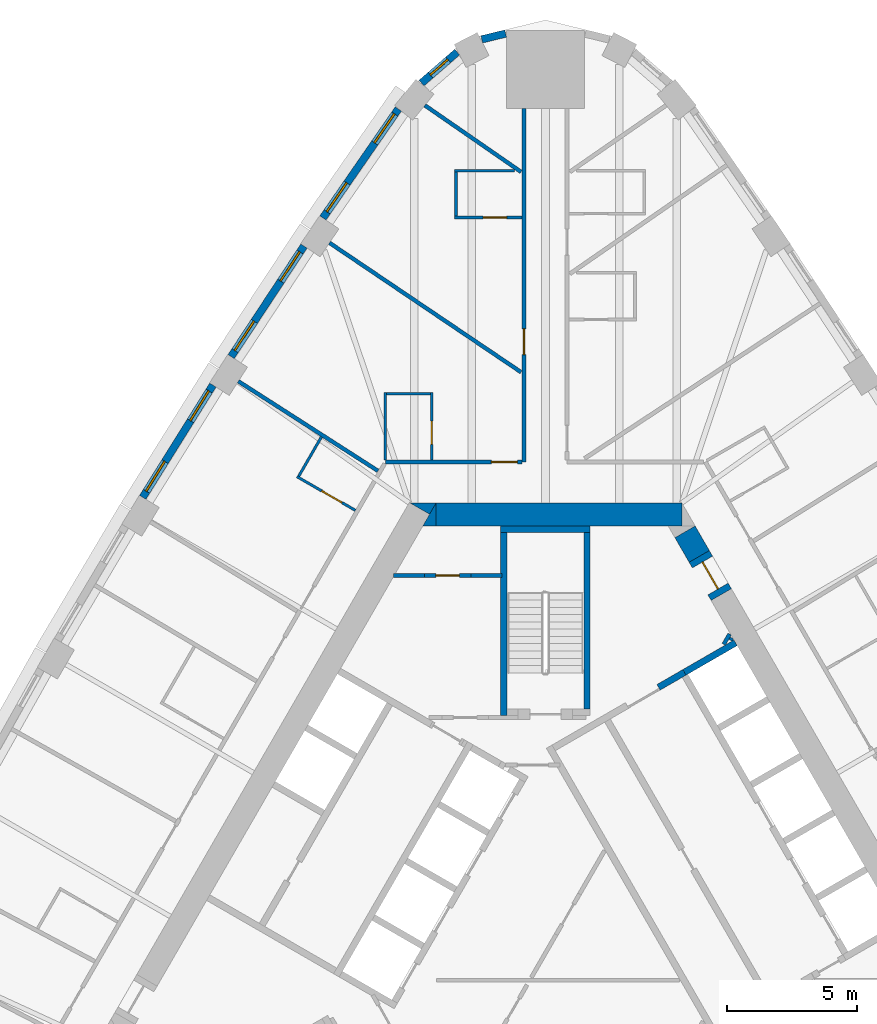
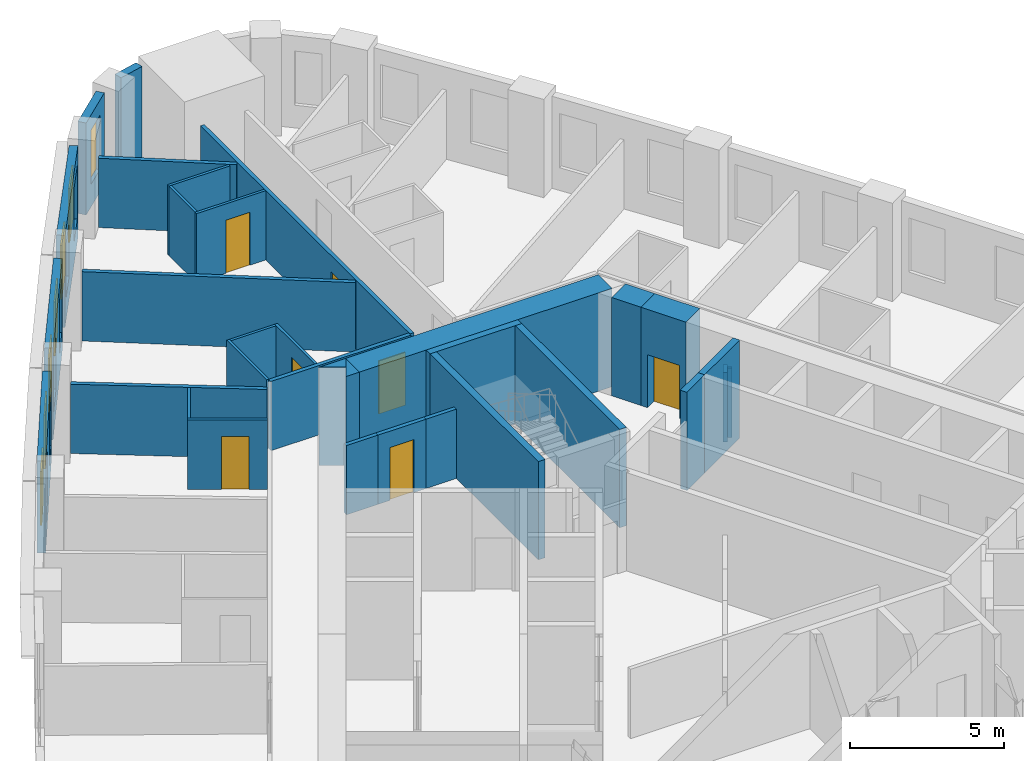
# One storey, part 10 of 13: 33 walls, 7 doors, 7 windows, 14 openings.
"""IFC4 building model written with IfcOpenShell, lengths in metres."""

from ifc_helpers import new_model, si_unit, direction, frame, frame_2d, origin, place, context, subcontext, project, spatial, polyline, rectangle, outline, extrude, material, layer, layer_set, type_object, element, fill, save


model = new_model("IFC4")

# Units and contexts
model_context = context("Model", 3, precision=1e-05, world=origin(), true_north=direction((0.0, 1.0)))
body_context = subcontext(model_context, "Body", "Model", "MODEL_VIEW")
ifc_project = project(units=[si_unit("LENGTHUNIT", "METRE"), si_unit("AREAUNIT", "SQUARE_METRE"), si_unit("VOLUMEUNIT", "CUBIC_METRE"), si_unit("PLANEANGLEUNIT", "RADIAN"), si_unit("MASSUNIT", "GRAM", prefix="KILO")], contexts=[model_context])

# Site, building, storey
site_placement = place(None, origin())
site = spatial("IfcSite", under=ifc_project, at=site_placement, CompositionType="ELEMENT")
building_placement = place(site_placement, origin())
building = spatial("IfcBuilding", under=site, at=building_placement, Name="Mestral Congress Tower", CompositionType="ELEMENT")
storey_placement = place(building_placement, frame((0.0, 0.0, 95.39990234375)))
storey = spatial("IfcBuildingStorey", under=building, at=storey_placement, Name="L22", CompositionType="ELEMENT", Elevation=95.39990234375)

# Walls
ifc_material_1 = material(Name="Fire-rated board partition")
ifc_layer_1 = layer(ifc_material_1, 0.14990234375)
ifc_layer_set_1 = layer_set([ifc_layer_1], Name="Fire-rated board partition")
wall_type_1 = type_object("IfcWallType", Name="Core partition 150", PredefinedType="PARTITIONING", material=ifc_layer_set_1)
wall_1_placement = place(storey_placement, frame((-5.85107421875, 14.10205078125, 0.0), z_axis=(0.0, 0.0, 1.0), x_axis=(1.0, 0.0, 0.0)))
element("IfcWall", 1, at=wall_1_placement, inside=storey, type_object=wall_type_1, Name="L22 core wall", PredefinedType="PARTITIONING", context=body_context, shape_type="SweptSolid", body=[
    extrude(rectangle(XDim=1.18017578125, YDim=0.14990234375, at=frame_2d((0.590087890625, 0.0))), origin(), (0.0, 0.0, 1.0), 2.75),
])
wall_2_placement = place(storey_placement, frame((-2.87060546875, 14.10205078125, 0.0), z_axis=(0.0, 0.0, 1.0), x_axis=(1.0, 0.0, 0.0)))
element("IfcWall", 2, at=wall_2_placement, inside=storey, type_object=wall_type_1, Name="L22 core wall", PredefinedType="PARTITIONING", context=body_context, shape_type="SweptSolid", body=[
    extrude(rectangle(XDim=1.195556640625, YDim=0.14990234375, at=frame_2d((0.59765625, 0.0))), origin(), (0.0, 0.0, 1.0), 2.75),
])
wall_3_placement = place(storey_placement, frame((6.87158203125, 11.44970703125, 0.0), z_axis=(0.0, 0.0, 1.0), x_axis=(0.499846793097, 0.866113839764, 0.0)))
element("IfcWall", 3, at=wall_3_placement, inside=storey, type_object=wall_type_1, Name="L22 core wall", PredefinedType="PARTITIONING", context=body_context, shape_type="SweptSolid", body=[
    extrude(rectangle(XDim=0.453369140625, YDim=0.14990234375, at=frame_2d((0.2265625, 0.0))), origin(), (0.0, 0.0, 1.0), 2.75),
])
wall_4_placement = place(storey_placement, frame((7.13134765625, 11.599609375, 0.0), z_axis=(0.0, 0.0, 1.0), x_axis=(0.498600033135, 0.866832167699, 0.0)))
element("IfcWall", 4, at=wall_4_placement, inside=storey, type_object=wall_type_1, Name="L22 core wall", PredefinedType="PARTITIONING", context=body_context, shape_type="SweptSolid", body=[
    extrude(rectangle(XDim=0.106689453125, YDim=0.14990234375, at=frame_2d((0.05322265625, 0.0))), origin(), (0.0, 0.0, 1.0), 2.75),
])

# Wall, opening, door
wall_5_placement = place(storey_placement, frame((-2.870849609375, 14.10205078125, 0.0), z_axis=(0.0, 0.0, 1.0), x_axis=(-1.0, 0.0, 0.0)))
wall_5 = element("IfcWall", 5, at=wall_5_placement, inside=storey, type_object=wall_type_1, Name="L22 door wall", PredefinedType="PARTITIONING", context=body_context, shape_type="SweptSolid", body=[
    extrude(rectangle(XDim=1.800048828125, YDim=0.14990234375, at=frame_2d((0.89990234375, 0.0))), origin(), (0.0, 0.0, 1.0), 2.75),
])
opening_1_placement = place(wall_5_placement, frame((0.449951171875, 0.0, 0.0)))
opening_1 = element("IfcOpeningElement", 6, at=opening_1_placement, cuts=wall_5, Name="Opening SD-WS2", PredefinedType="OPENING", context=body_context, shape_type="SweptSolid", body=[
    extrude(rectangle(XDim=0.89990234375, YDim=2.10009765625, at=frame_2d((0.449951171875, 1.050048828125))), frame((0.0, 0.0849609375, 0.0), z_axis=(0.0, -1.0, 0.0), x_axis=(1.0, 0.0, 0.0)), (0.0, 0.0, 1.0), 0.169921875),
])
ifc_material_2 = material(Name="Fire-rated steel door set", Category="steel")
door_type_1 = type_object("IfcDoorType", Name="Core door SR 900x2100", OperationType="SINGLE_SWING_LEFT", PredefinedType="DOOR", material=ifc_material_2)
door_1_placement = place(opening_1_placement, origin())
door_1 = element("IfcDoor", 7, at=door_1_placement, inside=storey, type_object=door_type_1, Name="Door SD-WS2", OperationType="SINGLE_SWING_LEFT", OverallHeight=2.10009765625, OverallWidth=0.89990234375, PredefinedType="DOOR", context=body_context, shape_type="SweptSolid", body=[
    extrude(rectangle(XDim=0.89990234375, YDim=2.10009765625, at=frame_2d((0.449951171875, 1.050048828125))), frame((0.0, 0.02490234375, 0.0), z_axis=(0.0, -1.0, 0.0), x_axis=(1.0, 0.0, 0.0)), (0.0, 0.0, 1.0), 0.050048828125),
])
fill(opening_1, door_1)

# Walls
ifc_material_3 = material(Name="Concrete C60/75", Category="concrete")
ifc_layer_2 = layer(ifc_material_3, 0.89990234375)
ifc_layer_set_2 = layer_set([ifc_layer_2], Name="Concrete C60/75")
wall_type_2 = type_object("IfcWallType", Name="Core wall RC 900", PredefinedType="SOLIDWALL", material=ifc_layer_set_2)
placement = place(storey_placement, origin())
element("IfcWall", 8, at=placement, inside=storey, type_object=wall_type_2, Name="L22 core wall", PredefinedType="SOLIDWALL", context=body_context, shape_type="SweptSolid", body=[
    extrude(outline(polyline([(-4.214599609375, 16.89990234375), (-4.46875, 16.460205078125), (-5.230712890625, 16.89990234375), (-4.214599609375, 16.89990234375)])), origin(), (0.0, 0.0, 1.0), 3.900146484375),
])
wall_7_placement = place(storey_placement, frame((-4.224365234375, 16.449951171875, 0.0), z_axis=(0.0, 0.0, 1.0), x_axis=(1.0, 0.0, 0.0)))
element("IfcWall", 9, at=wall_7_placement, inside=storey, type_object=wall_type_2, Name="L22 core wall", PredefinedType="SOLIDWALL", context=body_context, shape_type="SweptSolid", body=[
    extrude(rectangle(XDim=9.48779296875, YDim=0.89990234375, at=frame_2d((4.743896484375, 0.0))), origin(), (0.0, 0.0, 1.0), 3.900146484375),
])
element("IfcWall", 10, at=placement, inside=storey, type_object=wall_type_2, Name="L22 core wall", PredefinedType="SOLIDWALL", context=body_context, shape_type="SweptSolid", body=[
    extrude(outline(polyline([(-4.734375, 16.0), (-4.226318359375, 16.8798828125), (-4.226318359375, 16.0), (-4.734375, 16.0)])), origin(), (0.0, 0.0, 1.0), 3.900146484375),
])
wall_9_placement = place(storey_placement, frame((5.92578125, 14.836181640625, 0.0), z_axis=(0.0, 0.0, 1.0), x_axis=(-0.500076735116, 0.865981096212, 0.0)))
element("IfcWall", 11, at=wall_9_placement, inside=storey, type_object=wall_type_2, Name="L22 core wall", PredefinedType="SOLIDWALL", context=body_context, shape_type="SweptSolid", body=[
    extrude(rectangle(XDim=1.093505859375, YDim=0.89990234375, at=frame_2d((0.546875, 0.0))), origin(), (0.0, 0.0, 1.0), 3.900146484375),
])

# Wall, opening, door
wall_10_placement = place(storey_placement, frame((5.92578125, 14.836181640625, 0.0), z_axis=(0.0, 0.0, 1.0), x_axis=(0.500062241894, -0.865989465428, 0.0)))
wall_10 = element("IfcWall", 12, at=wall_10_placement, inside=storey, type_object=wall_type_2, Name="L22 door wall", PredefinedType="SOLIDWALL", context=body_context, shape_type="SweptSolid", body=[
    extrude(rectangle(XDim=1.699951171875, YDim=0.89990234375, at=frame_2d((0.85009765625, 0.0))), origin(), (0.0, 0.0, 1.0), 3.900146484375),
])
opening_2_placement = place(wall_10_placement, frame((0.25, 0.0, 0.0)))
opening_2 = element("IfcOpeningElement", 13, at=opening_2_placement, cuts=wall_10, Name="Opening XD2", PredefinedType="OPENING", context=body_context, shape_type="SweptSolid", body=[
    extrude(rectangle(XDim=1.199951171875, YDim=2.10009765625, at=frame_2d((0.60009765625, 1.050048828125))), frame((0.0, 0.4599609375, 0.0), z_axis=(0.0, -1.0, 0.0), x_axis=(1.0, 0.0, 0.0)), (0.0, 0.0, 1.0), 0.919921875),
])
door_type_2 = type_object("IfcDoorType", Name="Core door XD 1200x2100", OperationType="SINGLE_SWING_LEFT", PredefinedType="DOOR", material=ifc_material_2)
door_2_placement = place(opening_2_placement, origin())
door_2 = element("IfcDoor", 14, at=door_2_placement, inside=storey, type_object=door_type_2, Name="Door XD2", OperationType="SINGLE_SWING_LEFT", OverallHeight=2.10009765625, OverallWidth=1.199951171875, PredefinedType="DOOR", context=body_context, shape_type="SweptSolid", body=[
    extrude(rectangle(XDim=1.199951171875, YDim=2.10009765625, at=frame_2d((0.60009765625, 1.050048828125))), frame((0.0, 0.02490234375, 0.0), z_axis=(0.0, -1.0, 0.0), x_axis=(1.0, 0.0, 0.0)), (0.0, 0.0, 1.0), 0.050048828125),
])
fill(opening_2, door_2)

# Wall
ifc_material_4 = material(Name="Precast concrete C40/50 with limestone facing", Category="masonry")
ifc_layer_3 = layer(ifc_material_4, 0.2900390625)
ifc_layer_set_3 = layer_set([ifc_layer_3], Name="Precast concrete C40/50 with limestone facing")
wall_type_3 = type_object("IfcWallType", Name="Facade stone wall 290", PredefinedType="SOLIDWALL", material=ifc_layer_set_3)
wall_11_placement = place(storey_placement, frame((-1.53515625, 34.9892578125, 0.0), z_axis=(0.0, 0.0, 1.0), x_axis=(-0.971713991574, -0.236160789674, 0.0)))
element("IfcWall", 15, at=wall_11_placement, inside=storey, type_object=wall_type_3, Name="Facade wall K1-2", PredefinedType="SOLIDWALL", context=body_context, shape_type="SweptSolid", body=[
    extrude(rectangle(XDim=0.947021484375, YDim=0.2900390625, at=frame_2d((0.4736328125, 0.0))), origin(), (0.0, 0.0, 1.0), 3.650146484375),
])

# Wall, opening, window
wall_12_placement = place(storey_placement, frame((-3.404541015625, 34.275390625, 0.0), z_axis=(0.0, 0.0, 1.0), x_axis=(-0.754882764627, -0.655859749999, 0.0)))
wall_12 = element("IfcWall", 16, at=wall_12_placement, inside=storey, type_object=wall_type_3, Name="Facade wall K1-3", PredefinedType="SOLIDWALL", context=body_context, shape_type="SweptSolid", body=[
    extrude(rectangle(XDim=1.819580078125, YDim=0.2900390625, at=frame_2d((0.90966796875, 0.0))), origin(), (0.0, 0.0, 1.0), 3.650146484375),
])
opening_3_placement = place(wall_12_placement, frame((0.459716796875, 0.0, 0.89990234375)))
opening_3 = element("IfcOpeningElement", 17, at=opening_3_placement, cuts=wall_12, Name="Opening W3", PredefinedType="OPENING", context=body_context, shape_type="SweptSolid", body=[
    extrude(rectangle(XDim=0.89990234375, YDim=2.14990234375, at=frame_2d((0.449951171875, 1.074951171875))), frame((0.0, 0.155029296875, 0.0), z_axis=(0.0, -1.0, 0.0), x_axis=(1.0, 0.0, 0.0)), (0.0, 0.0, 1.0), 0.31005859375),
])
ifc_material_5 = material(Name="Clear low-emissivity double glazing", Category="glass")
window_type_1 = type_object("IfcWindowType", Name="Facade punched window 900 x 2150 sill 900", PartitioningType="SINGLE_PANEL", PredefinedType="WINDOW", material=ifc_material_5)
window_1_placement = place(opening_3_placement, origin())
window_1 = element("IfcWindow", 18, at=window_1_placement, inside=storey, type_object=window_type_1, Name="Window K1-3", OverallHeight=2.14990234375, OverallWidth=0.89990234375, PartitioningType="SINGLE_PANEL", PredefinedType="WINDOW", context=body_context, shape_type="SweptSolid", body=[
    extrude(rectangle(XDim=0.89990234375, YDim=2.14990234375, at=frame_2d((0.449951171875, 1.074951171875))), frame((0.0, 0.01513671875, 0.0), z_axis=(0.0, -1.0, 0.0), x_axis=(1.0, 0.0, 0.0)), (0.0, 0.0, 1.0), 0.06005859375),
])
fill(opening_3, window_1)

# Wall, openings, windows
wall_13_placement = place(storey_placement, frame((-5.67333984375, 32.0810546875, 0.0), z_axis=(0.0, 0.0, 1.0), x_axis=(-0.569113019126, -0.822259309136, 0.0)))
wall_13 = element("IfcWall", 19, at=wall_13_placement, inside=storey, type_object=wall_type_3, Name="Facade wall F2-00", PredefinedType="SOLIDWALL", context=body_context, shape_type="SweptSolid", body=[
    extrude(rectangle(XDim=5.106689453125, YDim=0.2900390625, at=frame_2d((2.55322265625, 0.0))), origin(), (0.0, 0.0, 1.0), 3.650146484375),
])
opening_4_placement = place(wall_13_placement, frame((0.240478515625, 0.0, 0.89990234375)))
opening_4 = element("IfcOpeningElement", 20, at=opening_4_placement, cuts=wall_13, Name="Opening W2", PredefinedType="OPENING", context=body_context, shape_type="SweptSolid", body=[
    extrude(rectangle(XDim=1.35009765625, YDim=2.14990234375, at=frame_2d((0.675048828125, 1.074951171875))), frame((0.0, 0.155029296875, 0.0), z_axis=(0.0, -1.0, 0.0), x_axis=(1.0, 0.0, 0.0)), (0.0, 0.0, 1.0), 0.31005859375),
])
opening_5_placement = place(wall_13_placement, frame((3.47119140625, 0.0, 0.89990234375)))
opening_5 = element("IfcOpeningElement", 21, at=opening_5_placement, cuts=wall_13, Name="Opening W2", PredefinedType="OPENING", context=body_context, shape_type="SweptSolid", body=[
    extrude(rectangle(XDim=1.35009765625, YDim=2.14990234375, at=frame_2d((0.675048828125, 1.074951171875))), frame((0.0, 0.155029296875, 0.0), z_axis=(0.0, -1.0, 0.0), x_axis=(1.0, 0.0, 0.0)), (0.0, 0.0, 1.0), 0.31005859375),
])
window_type_2 = type_object("IfcWindowType", Name="Facade punched window 1350 x 2150 sill 900", PartitioningType="DOUBLE_PANEL_VERTICAL", PredefinedType="WINDOW", material=ifc_material_5)
window_2_placement = place(opening_4_placement, origin())
window_2 = element("IfcWindow", 22, at=window_2_placement, inside=storey, type_object=window_type_2, Name="Window F2-00a", OverallHeight=2.14990234375, OverallWidth=1.35009765625, PartitioningType="DOUBLE_PANEL_VERTICAL", PredefinedType="WINDOW", context=body_context, shape_type="SweptSolid", body=[
    extrude(rectangle(XDim=1.35009765625, YDim=2.14990234375, at=frame_2d((0.675048828125, 1.074951171875))), frame((0.0, 0.01513671875, 0.0), z_axis=(0.0, -1.0, 0.0), x_axis=(1.0, 0.0, 0.0)), (0.0, 0.0, 1.0), 0.06005859375),
])
fill(opening_4, window_2)
window_3_placement = place(opening_5_placement, origin())
window_3 = element("IfcWindow", 23, at=window_3_placement, inside=storey, type_object=window_type_2, Name="Window F2-00b", OverallHeight=2.14990234375, OverallWidth=1.35009765625, PartitioningType="DOUBLE_PANEL_VERTICAL", PredefinedType="WINDOW", context=body_context, shape_type="SweptSolid", body=[
    extrude(rectangle(XDim=1.35009765625, YDim=2.14990234375, at=frame_2d((0.675048828125, 1.074951171875))), frame((0.0, 0.01513671875, 0.0), z_axis=(0.0, -1.0, 0.0), x_axis=(1.0, 0.0, 0.0)), (0.0, 0.0, 1.0), 0.06005859375),
])
fill(opening_5, window_3)

wall_14_placement = place(storey_placement, frame((-9.310791015625, 26.799072265625, 0.0), z_axis=(0.0, 0.0, 1.0), x_axis=(-0.549741341923, -0.835334937005, 0.0)))
wall_14 = element("IfcWall", 24, at=wall_14_placement, inside=storey, type_object=wall_type_3, Name="Facade wall F2-01", PredefinedType="SOLIDWALL", context=body_context, shape_type="SweptSolid", body=[
    extrude(rectangle(XDim=5.10009765625, YDim=0.2900390625, at=frame_2d((2.550048828125, 0.0))), origin(), (0.0, 0.0, 1.0), 3.650146484375),
])
opening_6_placement = place(wall_14_placement, frame((0.272705078125, 0.0, 0.89990234375)))
opening_6 = element("IfcOpeningElement", 25, at=opening_6_placement, cuts=wall_14, Name="Opening W2", PredefinedType="OPENING", context=body_context, shape_type="SweptSolid", body=[
    extrude(rectangle(XDim=1.35009765625, YDim=2.14990234375, at=frame_2d((0.675048828125, 1.074951171875))), frame((0.0, 0.155029296875, 0.0), z_axis=(0.0, -1.0, 0.0), x_axis=(1.0, 0.0, 0.0)), (0.0, 0.0, 1.0), 0.31005859375),
])
opening_7_placement = place(wall_14_placement, frame((3.477783203125, 0.0, 0.89990234375)))
opening_7 = element("IfcOpeningElement", 26, at=opening_7_placement, cuts=wall_14, Name="Opening W2", PredefinedType="OPENING", context=body_context, shape_type="SweptSolid", body=[
    extrude(rectangle(XDim=1.35009765625, YDim=2.14990234375, at=frame_2d((0.675048828125, 1.074951171875))), frame((0.0, 0.155029296875, 0.0), z_axis=(0.0, -1.0, 0.0), x_axis=(1.0, 0.0, 0.0)), (0.0, 0.0, 1.0), 0.31005859375),
])
window_4_placement = place(opening_6_placement, origin())
window_4 = element("IfcWindow", 27, at=window_4_placement, inside=storey, type_object=window_type_2, Name="Window F2-01a", OverallHeight=2.14990234375, OverallWidth=1.35009765625, PartitioningType="DOUBLE_PANEL_VERTICAL", PredefinedType="WINDOW", context=body_context, shape_type="SweptSolid", body=[
    extrude(rectangle(XDim=1.35009765625, YDim=2.14990234375, at=frame_2d((0.675048828125, 1.074951171875))), frame((0.0, 0.01513671875, 0.0), z_axis=(0.0, -1.0, 0.0), x_axis=(1.0, 0.0, 0.0)), (0.0, 0.0, 1.0), 0.06005859375),
])
fill(opening_6, window_4)
window_5_placement = place(opening_7_placement, origin())
window_5 = element("IfcWindow", 28, at=window_5_placement, inside=storey, type_object=window_type_2, Name="Window F2-01b", OverallHeight=2.14990234375, OverallWidth=1.35009765625, PartitioningType="DOUBLE_PANEL_VERTICAL", PredefinedType="WINDOW", context=body_context, shape_type="SweptSolid", body=[
    extrude(rectangle(XDim=1.35009765625, YDim=2.14990234375, at=frame_2d((0.675048828125, 1.074951171875))), frame((0.0, 0.01513671875, 0.0), z_axis=(0.0, -1.0, 0.0), x_axis=(1.0, 0.0, 0.0)), (0.0, 0.0, 1.0), 0.06005859375),
])
fill(opening_7, window_5)

wall_15_placement = place(storey_placement, frame((-12.820068359375, 21.43896484375, 0.0), z_axis=(0.0, 0.0, 1.0), x_axis=(-0.530072082134, -0.847952585787, 0.0)))
wall_15 = element("IfcWall", 29, at=wall_15_placement, inside=storey, type_object=wall_type_3, Name="Facade wall F2-02", PredefinedType="SOLIDWALL", context=body_context, shape_type="SweptSolid", body=[
    extrude(rectangle(XDim=5.100341796875, YDim=0.2900390625, at=frame_2d((2.55029296875, 0.0))), origin(), (0.0, 0.0, 1.0), 3.650146484375),
])
opening_8_placement = place(wall_15_placement, frame((0.272705078125, 0.0, 0.89990234375)))
opening_8 = element("IfcOpeningElement", 30, at=opening_8_placement, cuts=wall_15, Name="Opening W2", PredefinedType="OPENING", context=body_context, shape_type="SweptSolid", body=[
    extrude(rectangle(XDim=1.35009765625, YDim=2.14990234375, at=frame_2d((0.675048828125, 1.074951171875))), frame((0.0, 0.155029296875, 0.0), z_axis=(0.0, -1.0, 0.0), x_axis=(1.0, 0.0, 0.0)), (0.0, 0.0, 1.0), 0.31005859375),
])
opening_9_placement = place(wall_15_placement, frame((3.477783203125, 0.0, 0.89990234375)))
opening_9 = element("IfcOpeningElement", 31, at=opening_9_placement, cuts=wall_15, Name="Opening W2", PredefinedType="OPENING", context=body_context, shape_type="SweptSolid", body=[
    extrude(rectangle(XDim=1.35009765625, YDim=2.14990234375, at=frame_2d((0.675048828125, 1.074951171875))), frame((0.0, 0.155029296875, 0.0), z_axis=(0.0, -1.0, 0.0), x_axis=(1.0, 0.0, 0.0)), (0.0, 0.0, 1.0), 0.31005859375),
])
window_6_placement = place(opening_8_placement, origin())
window_6 = element("IfcWindow", 32, at=window_6_placement, inside=storey, type_object=window_type_2, Name="Window F2-02a", OverallHeight=2.14990234375, OverallWidth=1.35009765625, PartitioningType="DOUBLE_PANEL_VERTICAL", PredefinedType="WINDOW", context=body_context, shape_type="SweptSolid", body=[
    extrude(rectangle(XDim=1.35009765625, YDim=2.14990234375, at=frame_2d((0.675048828125, 1.074951171875))), frame((0.0, 0.01513671875, 0.0), z_axis=(0.0, -1.0, 0.0), x_axis=(1.0, 0.0, 0.0)), (0.0, 0.0, 1.0), 0.06005859375),
])
fill(opening_8, window_6)
window_7_placement = place(opening_9_placement, origin())
window_7 = element("IfcWindow", 33, at=window_7_placement, inside=storey, type_object=window_type_2, Name="Window F2-02b", OverallHeight=2.14990234375, OverallWidth=1.35009765625, PartitioningType="DOUBLE_PANEL_VERTICAL", PredefinedType="WINDOW", context=body_context, shape_type="SweptSolid", body=[
    extrude(rectangle(XDim=1.35009765625, YDim=2.14990234375, at=frame_2d((0.675048828125, 1.074951171875))), frame((0.0, 0.01513671875, 0.0), z_axis=(0.0, -1.0, 0.0), x_axis=(1.0, 0.0, 0.0)), (0.0, 0.0, 1.0), 0.06005859375),
])
fill(opening_9, window_7)

# Wall, opening, door
ifc_material_6 = material(Name="Gypsum board partition on metal studs with mineral wool", Category="composite")
ifc_layer_4 = layer(ifc_material_6, 0.10009765625)
ifc_layer_set_4 = layer_set([ifc_layer_4], Name="Gypsum board partition on metal studs with mineral wool")
wall_type_4 = type_object("IfcWallType", Name="Hotel partition wall 100", PredefinedType="PARTITIONING", material=ifc_layer_set_4)
wall_16_placement = place(storey_placement, frame((-3.5, 27.89794921875, 0.0), z_axis=(0.0, 0.0, 1.0), x_axis=(1.0, 0.0, 0.0)))
wall_16 = element("IfcWall", 34, at=wall_16_placement, inside=storey, type_object=wall_type_4, Name="L22-h-pod18a", PredefinedType="PARTITIONING", context=body_context, shape_type="SweptSolid", body=[
    extrude(rectangle(XDim=2.60009765625, YDim=0.10009765625, at=frame_2d((1.300048828125, 0.0))), origin(), (0.0, 0.0, 1.0), 2.75),
])
opening_10_placement = place(wall_16_placement, frame((1.10009765625, 0.0, 0.0)))
opening_10 = element("IfcOpeningElement", 35, at=opening_10_placement, cuts=wall_16, Name="Opening H07-035", PredefinedType="OPENING", context=body_context, shape_type="SweptSolid", body=[
    extrude(rectangle(XDim=0.89990234375, YDim=2.10009765625, at=frame_2d((0.449951171875, 1.050048828125))), frame((0.0, 0.06005859375, 0.0), z_axis=(0.0, -1.0, 0.0), x_axis=(1.0, 0.0, 0.0)), (0.0, 0.0, 1.0), 0.1201171875),
])
ifc_material_7 = material(Name="Timber veneer door leaf in timber frame", Category="wood")
door_type_3 = type_object("IfcDoorType", Name="Bathroom door 900", OperationType="SINGLE_SWING_LEFT", PredefinedType="DOOR", material=ifc_material_7)
door_3_placement = place(opening_10_placement, origin())
door_3 = element("IfcDoor", 36, at=door_3_placement, inside=storey, type_object=door_type_3, Name="L22-h-d035", OperationType="SINGLE_SWING_RIGHT", OverallHeight=2.10009765625, OverallWidth=0.89990234375, PredefinedType="DOOR", context=body_context, shape_type="SweptSolid", body=[
    extrude(rectangle(XDim=0.89990234375, YDim=2.10009765625, at=frame_2d((0.449951171875, 1.050048828125))), frame((0.0, 0.02490234375, 0.0), z_axis=(0.0, -1.0, 0.0), x_axis=(1.0, 0.0, 0.0)), (0.0, 0.0, 1.0), 0.050048828125),
])
fill(opening_10, door_3)

# Walls
wall_17_placement = place(storey_placement, frame((-3.449951171875, 27.947998046875, 0.0), z_axis=(0.0, 0.0, 1.0), x_axis=(0.0, 1.0, 0.0)))
element("IfcWall", 37, at=wall_17_placement, inside=storey, type_object=wall_type_4, Name="L22-h-pod18b", PredefinedType="PARTITIONING", context=body_context, shape_type="SweptSolid", body=[
    extrude(rectangle(XDim=1.699951171875, YDim=0.10009765625, at=frame_2d((0.85009765625, 0.0))), origin(), (0.0, 0.0, 1.0), 2.75),
])
wall_18_placement = place(storey_placement, frame((-1.199951171875, 29.697998046875, 0.0), z_axis=(0.0, 0.0, 1.0), x_axis=(-1.0, 0.0, 0.0)))
element("IfcWall", 38, at=wall_18_placement, inside=storey, type_object=wall_type_4, Name="L22-h-pod18c", PredefinedType="PARTITIONING", context=body_context, shape_type="SweptSolid", body=[
    extrude(rectangle(XDim=2.300048828125, YDim=0.10009765625, at=frame_2d((1.14990234375, 0.0))), origin(), (0.0, 0.0, 1.0), 2.75),
])

# Wall, opening, door
wall_19_placement = place(storey_placement, frame((-4.38330078125, 18.550048828125, 0.0), z_axis=(0.0, 0.0, 1.0), x_axis=(0.0, 1.0, 0.0)))
wall_19 = element("IfcWall", 39, at=wall_19_placement, inside=storey, type_object=wall_type_4, Name="L22-h-pod19a", PredefinedType="PARTITIONING", context=body_context, shape_type="SweptSolid", body=[
    extrude(rectangle(XDim=2.599853515625, YDim=0.10009765625, at=frame_2d((1.2998046875, 0.0))), origin(), (0.0, 0.0, 1.0), 2.75),
])
opening_11_placement = place(wall_19_placement, frame((0.60009765625, 0.0, 0.0)))
opening_11 = element("IfcOpeningElement", 40, at=opening_11_placement, cuts=wall_19, Name="Opening H07-037", PredefinedType="OPENING", context=body_context, shape_type="SweptSolid", body=[
    extrude(rectangle(XDim=0.89990234375, YDim=2.10009765625, at=frame_2d((0.449951171875, 1.050048828125))), frame((0.0, 0.06005859375, 0.0), z_axis=(0.0, -1.0, 0.0), x_axis=(1.0, 0.0, 0.0)), (0.0, 0.0, 1.0), 0.1201171875),
])
door_4_placement = place(opening_11_placement, origin())
door_4 = element("IfcDoor", 41, at=door_4_placement, inside=storey, type_object=door_type_3, Name="L22-h-d037", OperationType="SINGLE_SWING_LEFT", OverallHeight=2.10009765625, OverallWidth=0.89990234375, PredefinedType="DOOR", context=body_context, shape_type="SweptSolid", body=[
    extrude(rectangle(XDim=0.89990234375, YDim=2.10009765625, at=frame_2d((0.449951171875, 1.050048828125))), frame((0.0, 0.02490234375, 0.0), z_axis=(0.0, -1.0, 0.0), x_axis=(1.0, 0.0, 0.0)), (0.0, 0.0, 1.0), 0.050048828125),
])
fill(opening_11, door_4)

# Walls
wall_20_placement = place(storey_placement, frame((-4.43310546875, 21.10009765625, 0.0), z_axis=(0.0, 0.0, 1.0), x_axis=(-1.0, 0.0, 0.0)))
element("IfcWall", 42, at=wall_20_placement, inside=storey, type_object=wall_type_4, Name="L22-h-pod19b", PredefinedType="PARTITIONING", context=body_context, shape_type="SweptSolid", body=[
    extrude(rectangle(XDim=1.7001953125, YDim=0.10009765625, at=frame_2d((0.85009765625, 0.0))), origin(), (0.0, 0.0, 1.0), 2.75),
])
wall_21_placement = place(storey_placement, frame((-6.18310546875, 18.550048828125, 0.0), z_axis=(0.0, 0.0, 1.0), x_axis=(0.0, 1.0, 0.0)))
element("IfcWall", 43, at=wall_21_placement, inside=storey, type_object=wall_type_4, Name="L22-h-pod19c", PredefinedType="PARTITIONING", context=body_context, shape_type="SweptSolid", body=[
    extrude(rectangle(XDim=2.599853515625, YDim=0.10009765625, at=frame_2d((1.2998046875, 0.0))), origin(), (0.0, 0.0, 1.0), 2.75),
])

# Wall, opening, door
wall_22_placement = place(storey_placement, frame((-9.57763671875, 17.910888671875, 0.0), z_axis=(0.0, 0.0, 1.0), x_axis=(0.866021400173, -0.500006934395, 0.0)))
wall_22 = element("IfcWall", 44, at=wall_22_placement, inside=storey, type_object=wall_type_4, Name="L22-h-pod20a", PredefinedType="PARTITIONING", context=body_context, shape_type="SweptSolid", body=[
    extrude(rectangle(XDim=2.60009765625, YDim=0.10009765625, at=frame_2d((1.300048828125, 0.0))), origin(), (0.0, 0.0, 1.0), 2.75),
])
opening_12_placement = place(wall_22_placement, frame((1.10009765625, 0.0, 0.0)))
opening_12 = element("IfcOpeningElement", 45, at=opening_12_placement, cuts=wall_22, Name="Opening H07-039", PredefinedType="OPENING", context=body_context, shape_type="SweptSolid", body=[
    extrude(rectangle(XDim=0.89990234375, YDim=2.10009765625, at=frame_2d((0.449951171875, 1.050048828125))), frame((0.0, 0.06005859375, 0.0), z_axis=(0.0, -1.0, 0.0), x_axis=(1.0, 0.0, 0.0)), (0.0, 0.0, 1.0), 0.1201171875),
])
door_5_placement = place(opening_12_placement, origin())
door_5 = element("IfcDoor", 46, at=door_5_placement, inside=storey, type_object=door_type_3, Name="L22-h-d039", OperationType="SINGLE_SWING_LEFT", OverallHeight=2.10009765625, OverallWidth=0.89990234375, PredefinedType="DOOR", context=body_context, shape_type="SweptSolid", body=[
    extrude(rectangle(XDim=0.89990234375, YDim=2.10009765625, at=frame_2d((0.449951171875, 1.050048828125))), frame((0.0, 0.02490234375, 0.0), z_axis=(0.0, -1.0, 0.0), x_axis=(1.0, 0.0, 0.0)), (0.0, 0.0, 1.0), 0.050048828125),
])
fill(opening_12, door_5)

# Wall
wall_23_placement = place(storey_placement, frame((-9.509521484375, 17.92919921875, 0.0), z_axis=(0.0, 0.0, 1.0), x_axis=(0.500062521093, 0.865989304205, 0.0)))
element("IfcWall", 47, at=wall_23_placement, inside=storey, type_object=wall_type_4, Name="L22-h-pod20b", PredefinedType="PARTITIONING", context=body_context, shape_type="SweptSolid", body=[
    extrude(rectangle(XDim=1.739990234375, YDim=0.10009765625, at=frame_2d((0.8701171875, 0.0))), origin(), (0.0, 0.0, 1.0), 2.75),
])

# Wall, opening, door
ifc_layer_5 = layer(ifc_material_6, 0.14990234375)
ifc_layer_set_5 = layer_set([ifc_layer_5], Name="Gypsum board partition on metal studs with mineral wool")
wall_type_5 = type_object("IfcWallType", Name="Hotel partition wall 150", PredefinedType="PARTITIONING", material=ifc_layer_set_5)
wall_24_placement = place(storey_placement, frame((-0.824951171875, 18.47509765625, 0.0), z_axis=(0.0, 0.0, 1.0), x_axis=(0.0, 1.0, 0.0)))
wall_24 = element("IfcWall", 48, at=wall_24_placement, inside=storey, type_object=wall_type_5, Name="L22-h-cw06", PredefinedType="PARTITIONING", context=body_context, shape_type="SweptSolid", body=[
    extrude(rectangle(XDim=13.623291015625, YDim=0.14990234375, at=frame_2d((6.8115234375, 0.0))), origin(), (0.0, 0.0, 1.0), 2.75),
])
opening_13_placement = place(wall_24_placement, frame((4.13525390625, 0.0, 0.0)))
opening_13 = element("IfcOpeningElement", 49, at=opening_13_placement, cuts=wall_24, Name="Opening H07-034", PredefinedType="OPENING", context=body_context, shape_type="SweptSolid", body=[
    extrude(rectangle(XDim=1.0, YDim=2.10009765625, at=frame_2d((0.5, 1.050048828125))), frame((0.0, 0.0849609375, 0.0), z_axis=(0.0, -1.0, 0.0), x_axis=(1.0, 0.0, 0.0)), (0.0, 0.0, 1.0), 0.169921875),
])
ifc_material_8 = material(Name="Timber veneer door leaf in metal frame", Category="wood")
door_type_4 = type_object("IfcDoorType", Name="Guest room entrance door 1000", OperationType="SINGLE_SWING_LEFT", PredefinedType="DOOR", material=ifc_material_8)
door_6_placement = place(opening_13_placement, origin())
door_6 = element("IfcDoor", 50, at=door_6_placement, inside=storey, type_object=door_type_4, Name="L22-h-d034", OperationType="SINGLE_SWING_LEFT", OverallHeight=2.10009765625, OverallWidth=1.0, PredefinedType="DOOR", context=body_context, shape_type="SweptSolid", body=[
    extrude(rectangle(XDim=1.0, YDim=2.10009765625, at=frame_2d((0.5, 1.050048828125))), frame((0.0, 0.02490234375, 0.0), z_axis=(0.0, -1.0, 0.0), x_axis=(1.0, 0.0, 0.0)), (0.0, 0.0, 1.0), 0.050048828125),
])
fill(opening_13, door_6)

wall_25_placement = place(storey_placement, frame((-6.1630859375, 18.47509765625, 0.0), z_axis=(0.0, 0.0, 1.0), x_axis=(1.0, 0.0, 0.0)))
wall_25 = element("IfcWall", 51, at=wall_25_placement, inside=storey, type_object=wall_type_5, Name="L22-h-cw07", PredefinedType="PARTITIONING", context=body_context, shape_type="SweptSolid", body=[
    extrude(rectangle(XDim=5.258056640625, YDim=0.14990234375, at=frame_2d((2.62890625, 0.0))), origin(), (0.0, 0.0, 1.0), 2.75),
])
opening_14_placement = place(wall_25_placement, frame((4.078125, 0.0, 0.0)))
opening_14 = element("IfcOpeningElement", 52, at=opening_14_placement, cuts=wall_25, Name="Opening H07-036", PredefinedType="OPENING", context=body_context, shape_type="SweptSolid", body=[
    extrude(rectangle(XDim=1.0, YDim=2.10009765625, at=frame_2d((0.5, 1.050048828125))), frame((0.0, 0.0849609375, 0.0), z_axis=(0.0, -1.0, 0.0), x_axis=(1.0, 0.0, 0.0)), (0.0, 0.0, 1.0), 0.169921875),
])
door_7_placement = place(opening_14_placement, origin())
door_7 = element("IfcDoor", 53, at=door_7_placement, inside=storey, type_object=door_type_4, Name="L22-h-d036", OperationType="SINGLE_SWING_RIGHT", OverallHeight=2.10009765625, OverallWidth=1.0, PredefinedType="DOOR", context=body_context, shape_type="SweptSolid", body=[
    extrude(rectangle(XDim=1.0, YDim=2.10009765625, at=frame_2d((0.5, 1.050048828125))), frame((0.0, 0.02490234375, 0.0), z_axis=(0.0, -1.0, 0.0), x_axis=(1.0, 0.0, 0.0)), (0.0, 0.0, 1.0), 0.050048828125),
])
fill(opening_14, door_7)

# Walls
wall_26_placement = place(storey_placement, frame((-11.838134765625, 21.585205078125, 0.0), z_axis=(0.0, 0.0, 1.0), x_axis=(0.841699322813, -0.539946525108, 0.0)))
element("IfcWall", 54, at=wall_26_placement, inside=storey, type_object=wall_type_5, Name="L22-h-pw11", PredefinedType="PARTITIONING", context=body_context, shape_type="SweptSolid", body=[
    extrude(rectangle(XDim=6.3916015625, YDim=0.14990234375, at=frame_2d((3.19580078125, 0.0))), origin(), (0.0, 0.0, 1.0), 2.75),
])
wall_27_placement = place(storey_placement, frame((-8.32568359375, 26.922607421875, 0.0), z_axis=(0.0, 0.0, 1.0), x_axis=(0.828836601893, -0.5594907393, 0.0)))
element("IfcWall", 55, at=wall_27_placement, inside=storey, type_object=wall_type_5, Name="L22-h-pw13", PredefinedType="PARTITIONING", context=body_context, shape_type="SweptSolid", body=[
    extrude(rectangle(XDim=8.9091796875, YDim=0.14990234375, at=frame_2d((4.45458984375, 0.0))), origin(), (0.0, 0.0, 1.0), 2.75),
])
wall_28_placement = place(storey_placement, frame((-4.649169921875, 32.223388671875, 0.0), z_axis=(0.0, 0.0, 1.0), x_axis=(0.822262349475, -0.569108626394, 0.0)))
element("IfcWall", 56, at=wall_28_placement, inside=storey, type_object=wall_type_5, Name="L22-h-pw14", PredefinedType="PARTITIONING", context=body_context, shape_type="SweptSolid", body=[
    extrude(rectangle(XDim=4.509521484375, YDim=0.14990234375, at=frame_2d((2.2548828125, 0.0))), origin(), (0.0, 0.0, 1.0), 2.75),
])
ifc_layer_6 = layer(ifc_material_3, 0.25)
ifc_layer_set_6 = layer_set([ifc_layer_6], Name="Concrete C60/75")
wall_type_6 = type_object("IfcWallType", Name="Shaft wall RC 250", PredefinedType="SOLIDWALL", material=ifc_layer_set_6)
wall_29_placement = place(storey_placement, frame((4.3583984375, 9.791015625, 0.0), z_axis=(0.0, 0.0, 1.0), x_axis=(0.866079547155, 0.499906209203, 0.0)))
element("IfcWall", 57, at=wall_29_placement, inside=storey, type_object=wall_type_6, Name="L22 core wall", PredefinedType="SOLIDWALL", context=body_context, shape_type="SweptSolid", body=[
    extrude(rectangle(XDim=1.150146484375, YDim=0.25, at=frame_2d((0.5751953125, 0.0))), origin(), (0.0, 0.0, 1.0), 3.900146484375),
])
wall_30_placement = place(storey_placement, frame((5.356201171875, 10.366943359375, 0.0), z_axis=(0.0, 0.0, 1.0), x_axis=(0.865978535641, 0.50008116922, 0.0)))
element("IfcWall", 58, at=wall_30_placement, inside=storey, type_object=wall_type_6, Name="L22 core wall", PredefinedType="SOLIDWALL", context=body_context, shape_type="SweptSolid", body=[
    extrude(rectangle(XDim=2.27783203125, YDim=0.25, at=frame_2d((1.138916015625, 0.0))), origin(), (0.0, 0.0, 1.0), 3.900146484375),
])
ifc_layer_7 = layer(ifc_material_3, 0.25)
ifc_layer_set_7 = layer_set([ifc_layer_7], Name="Concrete C60/75")
wall_type_7 = type_object("IfcWallType", Name="Stair wall RC 250", PredefinedType="SOLIDWALL", material=ifc_layer_set_7)
wall_31_placement = place(storey_placement, frame((-1.72509765625, 15.875, 0.0), z_axis=(0.0, 0.0, 1.0), x_axis=(1.0, 0.0, 0.0)))
element("IfcWall", 59, at=wall_31_placement, inside=storey, type_object=wall_type_7, Name="L22 core wall", PredefinedType="SOLIDWALL", context=body_context, shape_type="SweptSolid", body=[
    extrude(rectangle(XDim=3.4501953125, YDim=0.25, at=frame_2d((1.72509765625, 0.0))), origin(), (0.0, 0.0, 1.0), 3.900146484375),
])
wall_32_placement = place(storey_placement, frame((1.60009765625, 8.949951171875, 0.0), z_axis=(0.0, 0.0, 1.0), x_axis=(0.0, 1.0, 0.0)))
element("IfcWall", 60, at=wall_32_placement, inside=storey, type_object=wall_type_7, Name="L22 core wall", PredefinedType="SOLIDWALL", context=body_context, shape_type="SweptSolid", body=[
    extrude(rectangle(XDim=6.800048828125, YDim=0.25, at=frame_2d((3.39990234375, 0.0))), origin(), (0.0, 0.0, 1.0), 3.900146484375),
])
wall_33_placement = place(storey_placement, frame((-1.60009765625, 8.699951171875, 0.0), z_axis=(0.0, 0.0, 1.0), x_axis=(0.0, 1.0, 0.0)))
element("IfcWall", 61, at=wall_33_placement, inside=storey, type_object=wall_type_7, Name="L22 core wall", PredefinedType="SOLIDWALL", context=body_context, shape_type="SweptSolid", body=[
    extrude(rectangle(XDim=7.050048828125, YDim=0.25, at=frame_2d((3.52490234375, 0.0))), origin(), (0.0, 0.0, 1.0), 3.900146484375),
])

save(model, "model.ifc")
